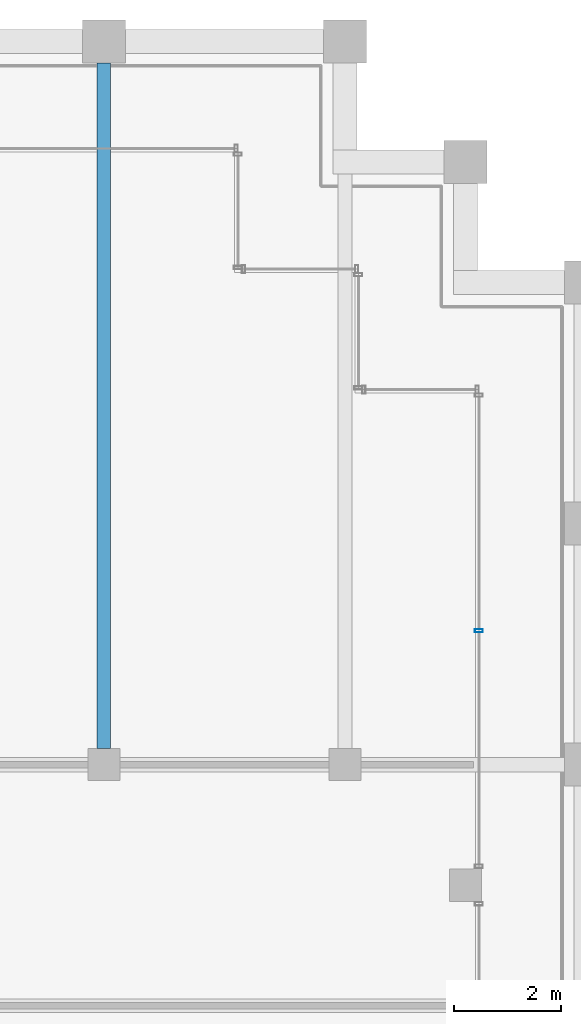
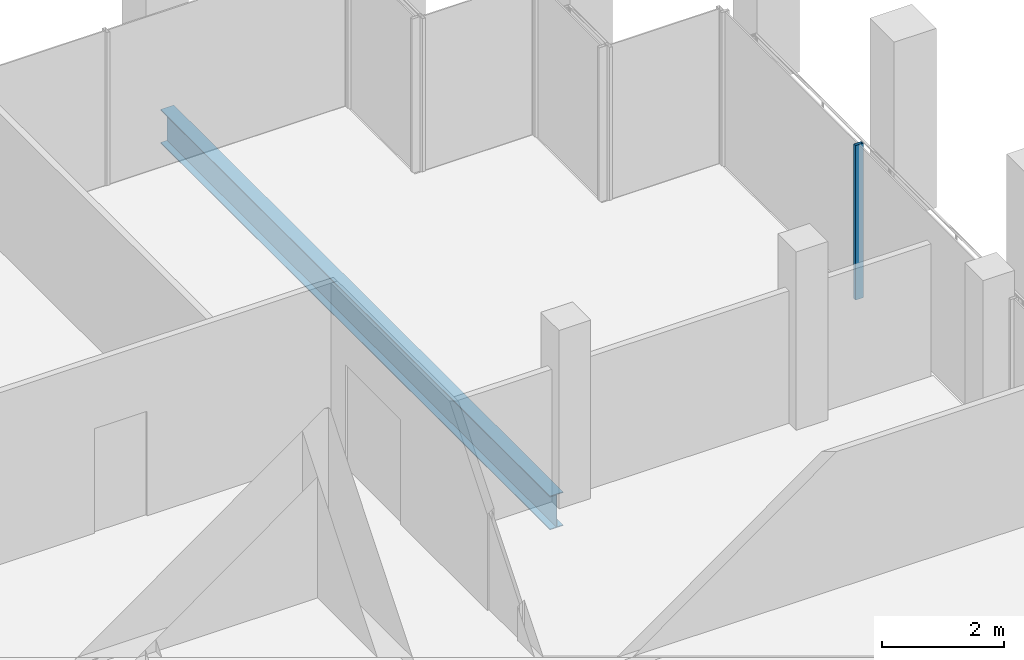
# One storey, part 26 of 62: 1 beam, 1 member, 1 element without a shape of its own.
"""IFC4 building model written with IfcOpenShell, lengths in metres."""

from ifc_helpers import new_model, si_unit, direction, frame, origin, origin_2d, place, context, subcontext, project, spatial, hollow_rectangle, i_section, extrude, material, material_profile, profile_set, type_object, element, aggregate, save


model = new_model("IFC4")

# Units and contexts
model_context = context("Model", 3, precision=1e-05, world=origin(), true_north=direction((0.0, 1.0)))
body_context = subcontext(model_context, "Body", "Model", "MODEL_VIEW")
ifc_project = project(units=[si_unit("LENGTHUNIT", "METRE"), si_unit("AREAUNIT", "SQUARE_METRE"), si_unit("VOLUMEUNIT", "CUBIC_METRE"), si_unit("PLANEANGLEUNIT", "RADIAN"), si_unit("MASSUNIT", "GRAM", prefix="KILO")], contexts=[model_context])

# Site, building, storey
site_placement = place(None, origin())
site = spatial("IfcSite", under=ifc_project, at=site_placement, CompositionType="ELEMENT")
building_placement = place(site_placement, origin())
building = spatial("IfcBuilding", under=site, at=building_placement, Name="Altepetl Exchange Towers", CompositionType="ELEMENT")
storey_placement = place(building_placement, frame((0.0, 0.0, 210.0)))
storey = spatial("IfcBuildingStorey", under=building, at=storey_placement, Name="L53", CompositionType="ELEMENT", Elevation=210.0)

# Beam
ifc_material_1 = material(Name="Steel S355", Category="steel")
ifc_material_profile_1 = material_profile(ifc_material_1, i_section(OverallWidth=0.2529296875, OverallDepth=0.677978515625, WebThickness=0.01171875, FlangeThickness=0.016357421875, at=origin_2d()), Name="W27X84")
ifc_profile_set_1 = profile_set([ifc_material_profile_1], Name="Steel S355")
beam_type = type_object("IfcBeamType", Name="Floor beam W27X84", PredefinedType="BEAM", material=ifc_profile_set_1)
beam_placement = place(storey_placement, frame((63.0, 58.800048828125, -0.489013671875), z_axis=(0.0, 1.0, 0.0), x_axis=(-1.0, 0.0, 0.0)))
element("IfcBeam", 1, at=beam_placement, inside=storey, type_object=beam_type, Name="bm:A:L53:004", PredefinedType="BEAM", context=body_context, shape_type="SweptSolid", body=[
    extrude(i_section(OverallWidth=0.2529296875, OverallDepth=0.677978515625, WebThickness=0.01171875, FlangeThickness=0.016357421875, at=origin_2d()), origin(), (0.0, 0.0, 1.0), 12.800048828125),
])

# Curtain wall, member
ifc_material_2 = material(Name="Aluminium 6063-T6 glazing", Category="aluminium")
curtain_wall_type = type_object("IfcCurtainWallType", Name="Loggia glazing system", PredefinedType="NOTDEFINED", material=ifc_material_2)
curtain_wall_placement = place(storey_placement, origin())
curtain_wall = element("IfcCurtainWall", 2, at=curtain_wall_placement, inside=storey, type_object=curtain_wall_type, Name="CW1 run", PredefinedType="NOTDEFINED")
ifc_material_3 = material(Name="Aluminium 6063-T6", Category="aluminium")
ifc_material_profile_2 = material_profile(ifc_material_3, hollow_rectangle(XDim=0.06005859375, YDim=0.14990234375, WallThickness=0.0029296875, at=origin_2d()), Name="Mullion 60x150 aluminium")
ifc_profile_set_2 = profile_set([ifc_material_profile_2], Name="Aluminium 6063-T6")
member_type = type_object("IfcMemberType", Name="Mullion 60x150 aluminium", PredefinedType="MULLION", material=ifc_profile_set_2)
member_placement = place(storey_placement, frame((70.0, 60.99755859375, 0.0), z_axis=(0.0, 0.0, 1.0), x_axis=(0.0, 1.0, 0.0)))
member = element("IfcMember", 3, at=member_placement, type_object=member_type, Name="MU1 mullion", PredefinedType="MULLION", context=body_context, shape_type="SweptSolid", body=[
    extrude(hollow_rectangle(XDim=0.06005859375, YDim=0.14990234375, WallThickness=0.0029296875, at=origin_2d()), origin(), (0.0, 0.0, 1.0), 3.10009765625),
])
aggregate(curtain_wall, [member])

save(model, "model.ifc")
